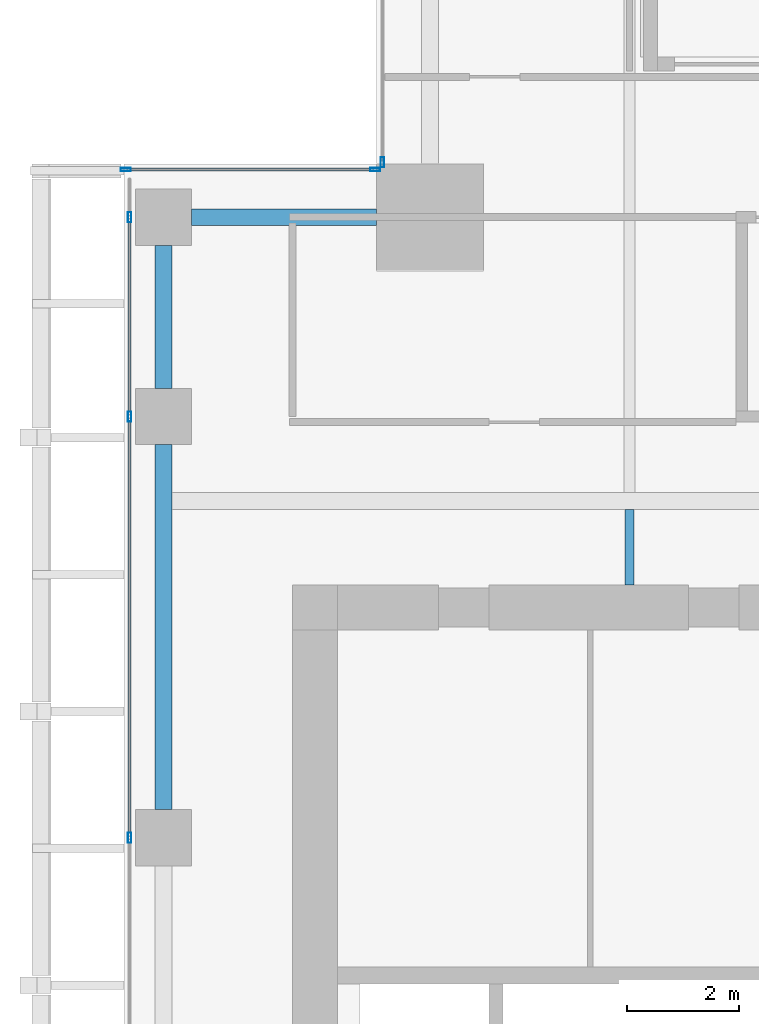
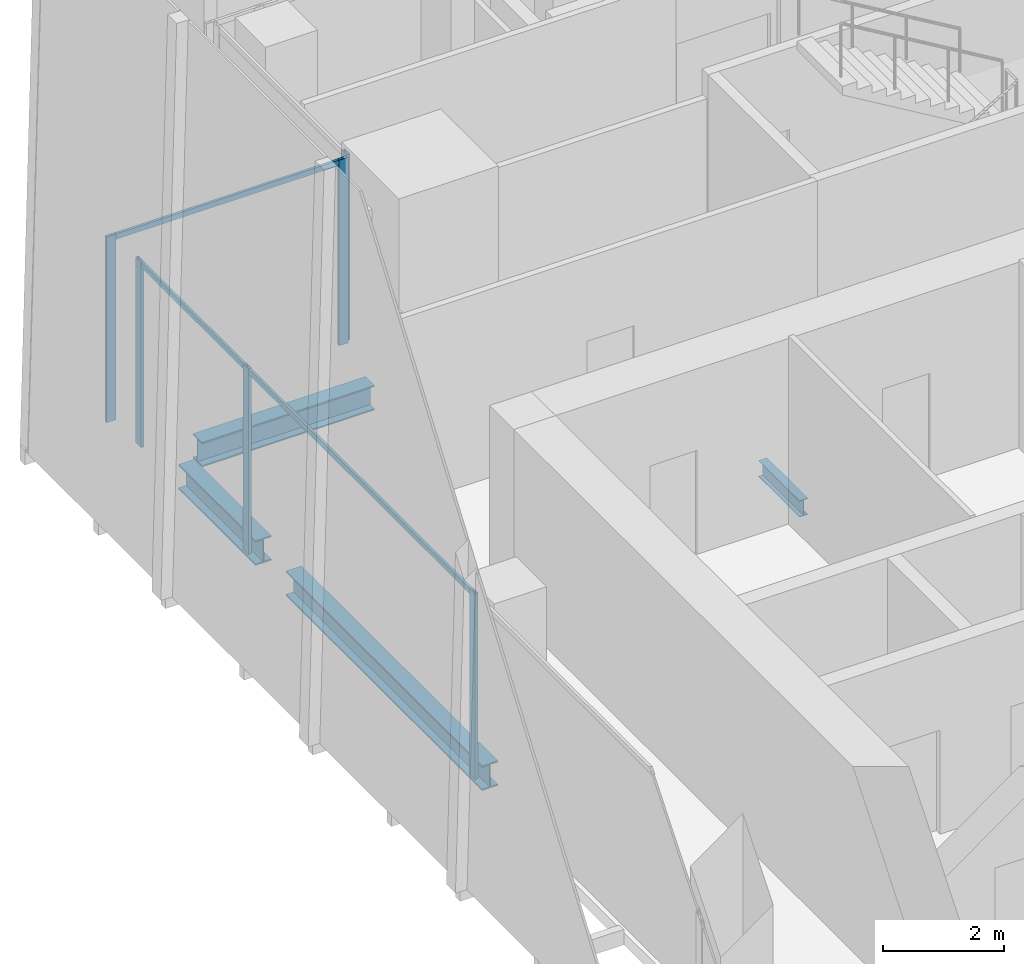
# One storey, part 14 of 35: 9 members, 4 beams, 3 elements without a shape of their own.
"""IFC4 building model written with IfcOpenShell, lengths in metres."""

from ifc_helpers import new_model, si_unit, direction, frame, origin, origin_2d, place, context, subcontext, project, spatial, hollow_rectangle, i_section, extrude, source, transform, mapped, material, material_profile, profile_set, type_object, element, aggregate, save


model = new_model("IFC4")

# Units and contexts
model_context = context("Model", 3, precision=1e-05, world=origin(), true_north=direction((0.0, 1.0)))
body_context = subcontext(model_context, "Body", "Model", "MODEL_VIEW")
ifc_project = project(units=[si_unit("LENGTHUNIT", "METRE"), si_unit("AREAUNIT", "SQUARE_METRE"), si_unit("VOLUMEUNIT", "CUBIC_METRE"), si_unit("PLANEANGLEUNIT", "RADIAN"), si_unit("MASSUNIT", "GRAM", prefix="KILO")], contexts=[model_context])

# Site, building, storey
site_placement = place(None, origin())
site = spatial("IfcSite", under=ifc_project, at=site_placement, CompositionType="ELEMENT")
building_placement = place(site_placement, origin())
building = spatial("IfcBuilding", under=site, at=building_placement, Name="Khomas Fold Tower", CompositionType="ELEMENT")
storey_placement = place(building_placement, frame((0.0, 0.0, 200.699951171875)))
storey = spatial("IfcBuildingStorey", under=building, at=storey_placement, Name="L44", CompositionType="ELEMENT", Elevation=200.699951171875)

# Beams
ifc_material_1 = material(Name="Steel S355", Category="steel")
ifc_material_profile_1 = material_profile(ifc_material_1, i_section(OverallWidth=0.300048828125, OverallDepth=0.5, WebThickness=0.014404296875, FlangeThickness=0.028076171875, at=origin_2d()), Name="HE 500 B")
ifc_profile_set_1 = profile_set([ifc_material_profile_1], Name="Steel S355")
beam_type_1 = type_object("IfcBeamType", Name="HE 500 B spandrel SB3", PredefinedType="SPANDREL", material=ifc_profile_set_1)
shared_shape_1 = source(origin(), body_context, "Body", "SweptSolid", [
    extrude(i_section(OverallWidth=0.300048828125, OverallDepth=0.5, WebThickness=0.014404296875, FlangeThickness=0.028076171875, at=origin_2d()), origin(), (0.0, 0.0, 1.0), 2.550048828125),
])
beam_1_placement = place(storey_placement, frame((3.699951171875, 42.5, -0.5), z_axis=(0.0, 1.0, 0.0), x_axis=(-1.0, 0.0, 0.0)))
element("IfcBeam", 1, at=beam_1_placement, inside=storey, type_object=beam_type_1, Name="SB3", PredefinedType="SPANDREL", context=body_context, shape_type="MappedRepresentation", body=[
    mapped(shared_shape_1, transform((0.0, 0.0, 0.0))),
])
shared_shape_2 = source(origin(), body_context, "Body", "SweptSolid", [
    extrude(i_section(OverallWidth=0.300048828125, OverallDepth=0.5, WebThickness=0.014404296875, FlangeThickness=0.028076171875, at=origin_2d()), origin(), (0.0, 0.0, 1.0), 6.5),
])
beam_2_placement = place(storey_placement, frame((3.699951171875, 35.0, -0.5), z_axis=(0.0, 1.0, 0.0), x_axis=(-1.0, 0.0, 0.0)))
element("IfcBeam", 2, at=beam_2_placement, inside=storey, type_object=beam_type_1, Name="SB3", PredefinedType="SPANDREL", context=body_context, shape_type="MappedRepresentation", body=[
    mapped(shared_shape_2, transform((0.0, 0.0, 0.0))),
])
shared_shape_3 = source(origin(), body_context, "Body", "SweptSolid", [
    extrude(i_section(OverallWidth=0.300048828125, OverallDepth=0.5, WebThickness=0.014404296875, FlangeThickness=0.028076171875, at=origin_2d()), origin(), (0.0, 0.0, 1.0), 3.300048828125),
])
beam_3_placement = place(storey_placement, frame((4.199951171875, 45.550048828125, -0.5), z_axis=(1.0, 0.0, 0.0), x_axis=(0.0, 1.0, 0.0)))
element("IfcBeam", 3, at=beam_3_placement, inside=storey, type_object=beam_type_1, Name="SB3", PredefinedType="SPANDREL", context=body_context, shape_type="MappedRepresentation", body=[
    mapped(shared_shape_3, transform((0.0, 0.0, 0.0))),
])
ifc_material_2 = material(Name="Steel S355", Category="steel")
ifc_material_profile_2 = material_profile(ifc_material_2, i_section(OverallWidth=0.159912109375, OverallDepth=0.330078125, WebThickness=0.007568359375, FlangeThickness=0.011474609375, at=origin_2d()), Name="IPE 330")
ifc_profile_set_2 = profile_set([ifc_material_profile_2], Name="Steel S355")
beam_type_2 = type_object("IfcBeamType", Name="IPE 330 beam JB1", PredefinedType="BEAM", material=ifc_profile_set_2)
shared_shape_4 = source(origin(), body_context, "Body", "SweptSolid", [
    extrude(i_section(OverallWidth=0.159912109375, OverallDepth=0.330078125, WebThickness=0.007568359375, FlangeThickness=0.011474609375, at=origin_2d()), origin(), (0.0, 0.0, 1.0), 1.35009765625),
])
beam_4_placement = place(storey_placement, frame((12.0, 39.0, -0.4150390625), z_axis=(0.0, 1.0, 0.0), x_axis=(-1.0, 0.0, 0.0)))
element("IfcBeam", 4, at=beam_4_placement, inside=storey, type_object=beam_type_2, Name="JB1", PredefinedType="BEAM", context=body_context, shape_type="MappedRepresentation", body=[
    mapped(shared_shape_4, transform((0.0, 0.0, 0.0))),
])

# Curtain wall, member
ifc_material_3 = material(Name="Aluminium framed double glazing", Category="aluminium")
curtain_wall_type = type_object("IfcCurtainWallType", Name="SK-Unitised clear-glass wall, office floors CW2", PredefinedType="NOTDEFINED", material=ifc_material_3)
curtain_wall_1_placement = place(storey_placement, origin())
curtain_wall_1 = element("IfcCurtainWall", 5, at=curtain_wall_1_placement, inside=storey, type_object=curtain_wall_type, Name="CW2 corner return L44 07", PredefinedType="NOTDEFINED")
ifc_material_4 = material(Name="Aluminium", Category="aluminium")
ifc_material_profile_3 = material_profile(ifc_material_4, hollow_rectangle(XDim=0.06005859375, YDim=0.179931640625, WallThickness=0.00390625, at=origin_2d()), Name="SK-Unitised clear-glass wall, office floors mullion CW2-M")
ifc_profile_set_3 = profile_set([ifc_material_profile_3], Name="Aluminium")
member_type_1 = type_object("IfcMemberType", Name="SK-Unitised clear-glass wall, office floors mullion CW2-M", PredefinedType="MULLION", material=ifc_profile_set_3)
shared_shape_5 = source(origin(), body_context, "Body", "SweptSolid", [
    extrude(hollow_rectangle(XDim=0.06005859375, YDim=0.179931640625, WallThickness=0.00390625, at=origin_2d()), origin(), (0.0, 0.0, 1.0), 3.75),
])
member_1_placement = place(storey_placement, frame((7.60009765625, 46.530029296875, 0.0), z_axis=(0.0, 0.0, 1.0), x_axis=(1.0, 0.0, 0.0)))
member_1 = element("IfcMember", 6, at=member_1_placement, type_object=member_type_1, Name="CW2 mullion 2", PredefinedType="MULLION", context=body_context, shape_type="MappedRepresentation", body=[
    mapped(shared_shape_5, transform((0.0, 0.0, 0.0))),
])
aggregate(curtain_wall_1, [member_1])

# Curtain wall, members
curtain_wall_2_placement = place(storey_placement, origin())
curtain_wall_2 = element("IfcCurtainWall", 7, at=curtain_wall_2_placement, inside=storey, type_object=curtain_wall_type, Name="CW2 corner return L44 08", PredefinedType="NOTDEFINED")
member_2_placement = place(storey_placement, frame((7.469970703125, 46.39990234375, 0.0), z_axis=(0.0, 0.0, 1.0), x_axis=(0.0, -1.0, 0.0)))
member_2 = element("IfcMember", 8, at=member_2_placement, type_object=member_type_1, Name="CW2 mullion 1", PredefinedType="MULLION", context=body_context, shape_type="MappedRepresentation", body=[
    mapped(shared_shape_5, transform((0.0, 0.0, 0.0))),
])
member_3_placement = place(storey_placement, frame((3.030029296875, 46.39990234375, 0.0), z_axis=(0.0, 0.0, 1.0), x_axis=(0.0, -1.0, 0.0)))
member_3 = element("IfcMember", 9, at=member_3_placement, type_object=member_type_1, Name="CW2 mullion 2", PredefinedType="MULLION", context=body_context, shape_type="MappedRepresentation", body=[
    mapped(shared_shape_5, transform((0.0, 0.0, 0.0))),
])

curtain_wall_3_placement = place(storey_placement, origin())
curtain_wall_3 = element("IfcCurtainWall", 10, at=curtain_wall_3_placement, inside=storey, type_object=curtain_wall_type, Name="CW2 run L44 09-0", PredefinedType="NOTDEFINED")
member_4_placement = place(storey_placement, frame((3.10009765625, 45.550048828125, 0.0), z_axis=(0.0, 0.0, 1.0), x_axis=(1.0, 0.0, 0.0)))
member_4 = element("IfcMember", 11, at=member_4_placement, type_object=member_type_1, Name="CW2 mullion 2", PredefinedType="MULLION", context=body_context, shape_type="MappedRepresentation", body=[
    mapped(shared_shape_5, transform((0.0, 0.0, 0.0))),
])
member_5_placement = place(storey_placement, frame((3.10009765625, 42.0, 0.0), z_axis=(0.0, 0.0, 1.0), x_axis=(1.0, 0.0, 0.0)))
member_5 = element("IfcMember", 12, at=member_5_placement, type_object=member_type_1, Name="CW2 mullion 3", PredefinedType="MULLION", context=body_context, shape_type="MappedRepresentation", body=[
    mapped(shared_shape_5, transform((0.0, 0.0, 0.0))),
])
member_6_placement = place(storey_placement, frame((3.10009765625, 34.5, 0.0), z_axis=(0.0, 0.0, 1.0), x_axis=(1.0, 0.0, 0.0)))
member_6 = element("IfcMember", 13, at=member_6_placement, type_object=member_type_1, Name="CW2 mullion 4", PredefinedType="MULLION", context=body_context, shape_type="MappedRepresentation", body=[
    mapped(shared_shape_5, transform((0.0, 0.0, 0.0))),
])

# Member
ifc_material_5 = material(Name="Aluminium", Category="aluminium")
ifc_material_profile_4 = material_profile(ifc_material_5, hollow_rectangle(XDim=0.050048828125, YDim=0.110107421875, WallThickness=0.00390625, at=origin_2d()), Name="SK-Unitised clear-glass wall, office floors transom CW2-T")
ifc_profile_set_4 = profile_set([ifc_material_profile_4], Name="Aluminium")
member_type_2 = type_object("IfcMemberType", Name="SK-Unitised clear-glass wall, office floors transom CW2-T", PredefinedType="USERDEFINED", material=ifc_profile_set_4)
shared_shape_6 = source(origin(), body_context, "Body", "SweptSolid", [
    extrude(hollow_rectangle(XDim=0.050048828125, YDim=0.110107421875, WallThickness=0.00390625, at=origin_2d()), origin(), (0.0, 0.0, 1.0), 4.3798828125),
])
member_7_placement = place(storey_placement, frame((7.43994140625, 46.39990234375, 3.695068359375), z_axis=(-1.0, 0.0, 0.0), x_axis=(0.0, -1.0, 0.0)))
member_7 = element("IfcMember", 14, at=member_7_placement, type_object=member_type_2, Name="CW2 transom 1", ObjectType="TRANSOM", PredefinedType="USERDEFINED", context=body_context, shape_type="MappedRepresentation", body=[
    mapped(shared_shape_6, transform((0.0, 0.0, 0.0))),
])

aggregate(curtain_wall_2, [member_2, member_3, member_7])

shared_shape_7 = source(origin(), body_context, "Body", "SweptSolid", [
    extrude(hollow_rectangle(XDim=0.050048828125, YDim=0.110107421875, WallThickness=0.00390625, at=origin_2d()), origin(), (0.0, 0.0, 1.0), 3.489990234375),
])
member_8_placement = place(storey_placement, frame((3.10009765625, 45.52001953125, 3.695068359375), z_axis=(0.0, -1.0, 0.0), x_axis=(1.0, 0.0, 0.0)))
member_8 = element("IfcMember", 15, at=member_8_placement, type_object=member_type_2, Name="CW2 transom 2", ObjectType="TRANSOM", PredefinedType="USERDEFINED", context=body_context, shape_type="MappedRepresentation", body=[
    mapped(shared_shape_7, transform((0.0, 0.0, 0.0))),
])

shared_shape_8 = source(origin(), body_context, "Body", "SweptSolid", [
    extrude(hollow_rectangle(XDim=0.050048828125, YDim=0.110107421875, WallThickness=0.00390625, at=origin_2d()), origin(), (0.0, 0.0, 1.0), 7.43994140625),
])
member_9_placement = place(storey_placement, frame((3.10009765625, 41.969970703125, 3.695068359375), z_axis=(0.0, -1.0, 0.0), x_axis=(1.0, 0.0, 0.0)))
member_9 = element("IfcMember", 16, at=member_9_placement, type_object=member_type_2, Name="CW2 transom 3", ObjectType="TRANSOM", PredefinedType="USERDEFINED", context=body_context, shape_type="MappedRepresentation", body=[
    mapped(shared_shape_8, transform((0.0, 0.0, 0.0))),
])

aggregate(curtain_wall_3, [member_4, member_5, member_6, member_8, member_9])

save(model, "model.ifc")
